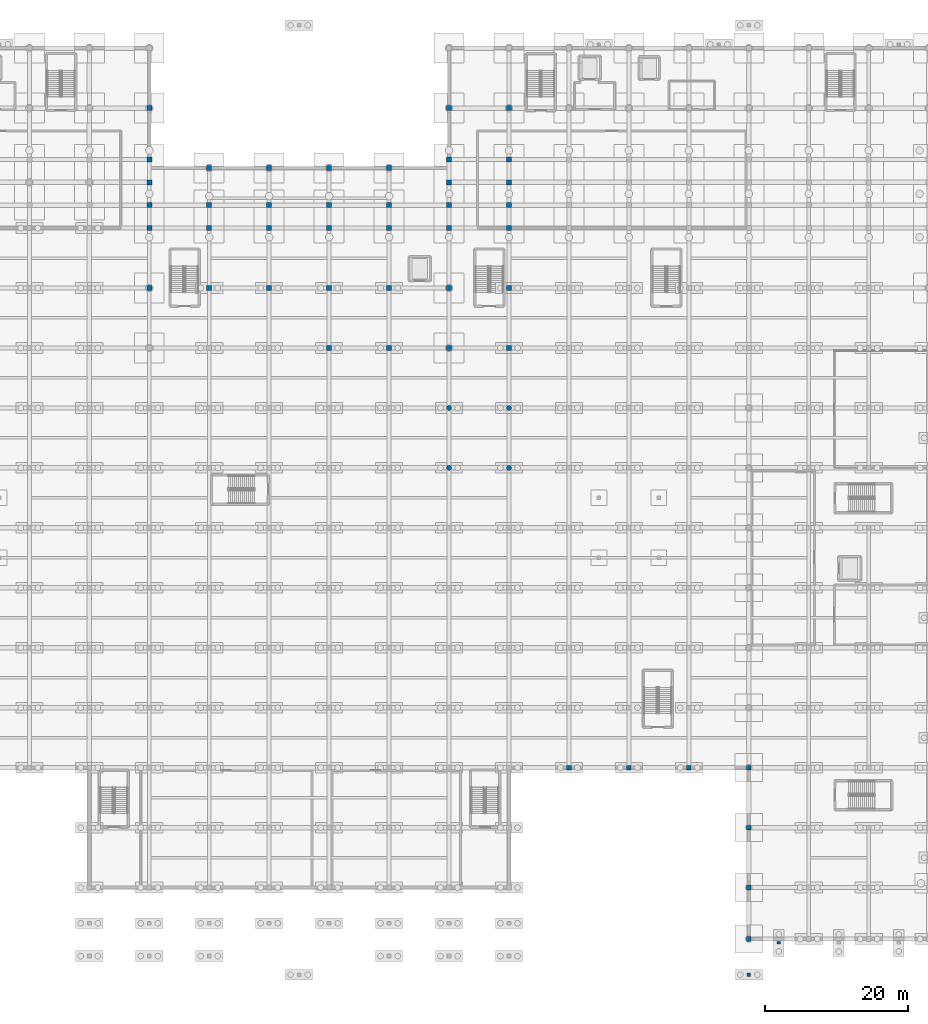
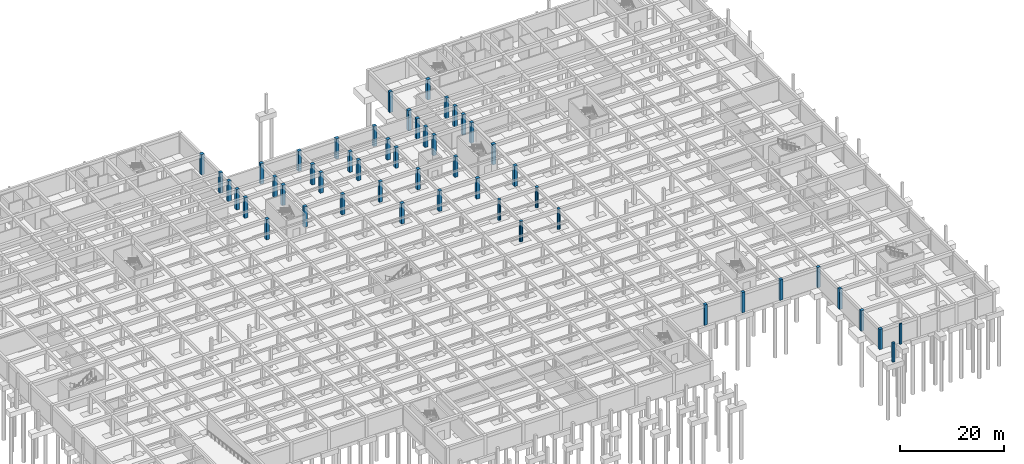
# One storey, part 11 of 51: 51 columns.
"""IFC4 building model written with IfcOpenShell, lengths in metres."""

from ifc_helpers import new_model, si_unit, direction, frame, origin, origin_2d, place, context, subcontext, project, spatial, rectangle, circle, extrude, material, material_profile, profile_set, type_object, element, save


model = new_model("IFC4")

# Units and contexts
model_context = context("Model", 3, precision=1e-05, world=origin(), true_north=direction((0.0, 1.0)))
body_context = subcontext(model_context, "Body", "Model", "MODEL_VIEW")
ifc_project = project(units=[si_unit("LENGTHUNIT", "METRE"), si_unit("AREAUNIT", "SQUARE_METRE"), si_unit("VOLUMEUNIT", "CUBIC_METRE"), si_unit("PLANEANGLEUNIT", "RADIAN"), si_unit("MASSUNIT", "GRAM", prefix="KILO")], contexts=[model_context])

# Site, building, storey
site_placement = place(None, origin())
site = spatial("IfcSite", under=ifc_project, at=site_placement, CompositionType="ELEMENT")
building_placement = place(site_placement, origin())
building = spatial("IfcBuilding", under=site, at=building_placement, Name="Varncliffe General Hospital", CompositionType="ELEMENT")
storey_placement = place(building_placement, frame((0.0, 0.0, -4.800048828125)))
storey = spatial("IfcBuildingStorey", under=building, at=storey_placement, Name="B1", CompositionType="ELEMENT", Elevation=-4.800048828125)

# Columns
ifc_material_1 = material(Name="Concrete C40/50 (CSA A23.1 40 MPa)", Category="concrete")
ifc_material_profile_1 = material_profile(ifc_material_1, rectangle(XDim=0.64990234375, YDim=0.64990234375, at=origin_2d()), Name="RC 650x650")
ifc_profile_set_1 = profile_set([ifc_material_profile_1], Name="Concrete C40/50 (CSA A23.1 40 MPa)")
column_type_1 = type_object("IfcColumnType", Name="Column C21 (Ext RC 650x650)", PredefinedType="COLUMN", material=ifc_profile_set_1)
for number, where, z_axis, x_axis, name in (
    (1, (126.0, 24.0, 0.0), (0.0, 0.0, 1.0), (1.0, 0.0, 0.0), "B1 Column C21"),
    (2, (134.39990234375, 24.0, 0.0), (0.0, 0.0, 1.0), (1.0, 0.0, 0.0), "B1 Column C21"),
    (3, (142.800048828125, 24.0, 0.0), (0.0, 0.0, 1.0), (1.0, 0.0, 0.0), "B1 Column C21"),
    (4, (151.199951171875, 0.0, 0.0), (0.0, 0.0, 1.0), (1.0, 0.0, 0.0), "B1 Column C21"),
    (5, (151.199951171875, 7.199951171875, 0.0), (0.0, 0.0, 1.0), (1.0, 0.0, 0.0), "B1 Column C21"),
    (6, (151.199951171875, 15.60009765625, 0.0), (0.0, 0.0, 1.0), (1.0, 0.0, 0.0), "B1 Column C21"),
    (7, (151.199951171875, 24.0, 0.0), (0.0, 0.0, 1.0), (1.0, 0.0, 0.0), "B1 Column C21"),
):
    element("IfcColumn", number, at=place(storey_placement, frame(where, z_axis=z_axis, x_axis=x_axis)), inside=storey, type_object=column_type_1, Name=name, PredefinedType="COLUMN", context=body_context, shape_type="SweptSolid", body=[
        extrude(rectangle(XDim=0.64990234375, YDim=0.64990234375, at=origin_2d()), origin(), (0.0, 0.0, 1.0), 4.800048828125),
    ])
ifc_material_profile_2 = material_profile(ifc_material_1, circle(Radius=0.35009765625, at=origin_2d()), Name="RC D700")
ifc_profile_set_2 = profile_set([ifc_material_profile_2], Name="Concrete C40/50 (CSA A23.1 40 MPa)")
column_type_2 = type_object("IfcColumnType", Name="Column C25 (Int RC D700)", PredefinedType="COLUMN", material=ifc_profile_set_2)
for number, where, z_axis, x_axis, name in (
    (8, (109.199951171875, 66.0, 0.0), (0.0, 0.0, 1.0), (1.0, 0.0, 0.0), "B1 Column C25"),
    (9, (109.199951171875, 74.39990234375, 0.0), (0.0, 0.0, 1.0), (1.0, 0.0, 0.0), "B1 Column C25"),
    (10, (117.60009765625, 66.0, 0.0), (0.0, 0.0, 1.0), (1.0, 0.0, 0.0), "B1 Column C25"),
    (11, (117.60009765625, 74.39990234375, 0.0), (0.0, 0.0, 1.0), (1.0, 0.0, 0.0), "B1 Column C25"),
):
    element("IfcColumn", number, at=place(storey_placement, frame(where, z_axis=z_axis, x_axis=x_axis)), inside=storey, type_object=column_type_2, Name=name, PredefinedType="COLUMN", context=body_context, shape_type="SweptSolid", body=[
        extrude(circle(Radius=0.35009765625, at=origin_2d()), origin(), (0.0, 0.0, 1.0), 4.800048828125),
    ])
ifc_material_profile_3 = material_profile(ifc_material_1, rectangle(XDim=0.699951171875, YDim=0.699951171875, at=origin_2d()), Name="RC 700x700")
ifc_profile_set_3 = profile_set([ifc_material_profile_3], Name="Concrete C40/50 (CSA A23.1 40 MPa)")
column_type_3 = type_object("IfcColumnType", Name="Column C50 (Int RC 700x700)", PredefinedType="COLUMN", material=ifc_profile_set_3)
for number, where, z_axis, x_axis, name in (
    (12, (67.199951171875, 91.199951171875, 0.0), (0.0, 0.0, 1.0), (1.0, 0.0, 0.0), "B1 Column C50"),
    (13, (67.199951171875, 99.60009765625, 0.0), (0.0, 0.0, 1.0), (1.0, 0.0, 0.0), "B1 Column C50"),
    (14, (67.199951171875, 102.800048828125, 0.0), (0.0, 0.0, 1.0), (1.0, 0.0, 0.0), "B1 Column C50"),
    (15, (67.199951171875, 106.0, 0.0), (0.0, 0.0, 1.0), (1.0, 0.0, 0.0), "B1 Column C50"),
    (16, (75.60009765625, 91.199951171875, 0.0), (0.0, 0.0, 1.0), (1.0, 0.0, 0.0), "B1 Column C50"),
    (17, (75.60009765625, 99.60009765625, 0.0), (0.0, 0.0, 1.0), (1.0, 0.0, 0.0), "B1 Column C50"),
    (18, (75.60009765625, 102.800048828125, 0.0), (0.0, 0.0, 1.0), (1.0, 0.0, 0.0), "B1 Column C50"),
    (19, (84.0, 91.199951171875, 0.0), (0.0, 0.0, 1.0), (1.0, 0.0, 0.0), "B1 Column C50"),
    (20, (84.0, 99.60009765625, 0.0), (0.0, 0.0, 1.0), (1.0, 0.0, 0.0), "B1 Column C50"),
    (21, (84.0, 102.800048828125, 0.0), (0.0, 0.0, 1.0), (1.0, 0.0, 0.0), "B1 Column C50"),
    (22, (92.39990234375, 82.800048828125, 0.0), (0.0, 0.0, 1.0), (1.0, 0.0, 0.0), "B1 Column C50"),
    (23, (92.39990234375, 91.199951171875, 0.0), (0.0, 0.0, 1.0), (1.0, 0.0, 0.0), "B1 Column C50"),
    (24, (92.39990234375, 99.60009765625, 0.0), (0.0, 0.0, 1.0), (1.0, 0.0, 0.0), "B1 Column C50"),
    (25, (92.39990234375, 102.800048828125, 0.0), (0.0, 0.0, 1.0), (1.0, 0.0, 0.0), "B1 Column C50"),
    (26, (100.800048828125, 82.800048828125, 0.0), (0.0, 0.0, 1.0), (1.0, 0.0, 0.0), "B1 Column C50"),
    (27, (100.800048828125, 91.199951171875, 0.0), (0.0, 0.0, 1.0), (1.0, 0.0, 0.0), "B1 Column C50"),
    (28, (100.800048828125, 99.60009765625, 0.0), (0.0, 0.0, 1.0), (1.0, 0.0, 0.0), "B1 Column C50"),
    (29, (100.800048828125, 102.800048828125, 0.0), (0.0, 0.0, 1.0), (1.0, 0.0, 0.0), "B1 Column C50"),
    (30, (109.199951171875, 82.800048828125, 0.0), (0.0, 0.0, 1.0), (1.0, 0.0, 0.0), "B1 Column C50"),
    (31, (109.199951171875, 91.199951171875, 0.0), (0.0, 0.0, 1.0), (1.0, 0.0, 0.0), "B1 Column C50"),
    (32, (109.199951171875, 99.60009765625, 0.0), (0.0, 0.0, 1.0), (1.0, 0.0, 0.0), "B1 Column C50"),
    (33, (109.199951171875, 102.800048828125, 0.0), (0.0, 0.0, 1.0), (1.0, 0.0, 0.0), "B1 Column C50"),
    (34, (109.199951171875, 106.0, 0.0), (0.0, 0.0, 1.0), (1.0, 0.0, 0.0), "B1 Column C50"),
    (35, (117.60009765625, 82.800048828125, 0.0), (0.0, 0.0, 1.0), (1.0, 0.0, 0.0), "B1 Column C50"),
    (36, (117.60009765625, 91.199951171875, 0.0), (0.0, 0.0, 1.0), (1.0, 0.0, 0.0), "B1 Column C50"),
    (37, (117.60009765625, 99.60009765625, 0.0), (0.0, 0.0, 1.0), (1.0, 0.0, 0.0), "B1 Column C50"),
    (38, (117.60009765625, 102.800048828125, 0.0), (0.0, 0.0, 1.0), (1.0, 0.0, 0.0), "B1 Column C50"),
    (39, (117.60009765625, 106.0, 0.0), (0.0, 0.0, 1.0), (1.0, 0.0, 0.0), "B1 Column C50"),
    (40, (117.60009765625, 109.199951171875, 0.0), (0.0, 0.0, 1.0), (1.0, 0.0, 0.0), "B1 Column C50"),
    (41, (117.60009765625, 116.39990234375, 0.0), (0.0, 0.0, 1.0), (1.0, 0.0, 0.0), "B1 Column C50"),
):
    element("IfcColumn", number, at=place(storey_placement, frame(where, z_axis=z_axis, x_axis=x_axis)), inside=storey, type_object=column_type_3, Name=name, PredefinedType="COLUMN", context=body_context, shape_type="SweptSolid", body=[
        extrude(rectangle(XDim=0.699951171875, YDim=0.699951171875, at=origin_2d()), origin(), (0.0, 0.0, 1.0), 4.800048828125),
    ])
ifc_material_profile_4 = material_profile(ifc_material_1, rectangle(XDim=0.699951171875, YDim=0.699951171875, at=origin_2d()), Name="RC 700x700")
ifc_profile_set_4 = profile_set([ifc_material_profile_4], Name="Concrete C40/50 (CSA A23.1 40 MPa)")
column_type_4 = type_object("IfcColumnType", Name="Column C54 (Ext RC 700x700)", PredefinedType="COLUMN", material=ifc_profile_set_4)
for number, where, z_axis, x_axis, name in (
    (42, (67.199951171875, 109.199951171875, 0.0), (0.0, 0.0, 1.0), (1.0, 0.0, 0.0), "B1 Column C54"),
    (43, (67.199951171875, 116.39990234375, 0.0), (0.0, 0.0, 1.0), (1.0, 0.0, 0.0), "B1 Column C54"),
    (44, (75.60009765625, 108.0, 0.0), (0.0, 0.0, 1.0), (1.0, 0.0, 0.0), "B1 Column C54"),
    (45, (84.0, 108.0, 0.0), (0.0, 0.0, 1.0), (1.0, 0.0, 0.0), "B1 Column C54"),
    (46, (92.39990234375, 108.0, 0.0), (0.0, 0.0, 1.0), (1.0, 0.0, 0.0), "B1 Column C54"),
    (47, (100.800048828125, 108.0, 0.0), (0.0, 0.0, 1.0), (1.0, 0.0, 0.0), "B1 Column C54"),
    (48, (109.199951171875, 109.199951171875, 0.0), (0.0, 0.0, 1.0), (1.0, 0.0, 0.0), "B1 Column C54"),
    (49, (109.199951171875, 116.39990234375, 0.0), (0.0, 0.0, 1.0), (1.0, 0.0, 0.0), "B1 Column C54"),
):
    element("IfcColumn", number, at=place(storey_placement, frame(where, z_axis=z_axis, x_axis=x_axis)), inside=storey, type_object=column_type_4, Name=name, PredefinedType="COLUMN", context=body_context, shape_type="SweptSolid", body=[
        extrude(rectangle(XDim=0.699951171875, YDim=0.699951171875, at=origin_2d()), origin(), (0.0, 0.0, 1.0), 4.800048828125),
    ])
ifc_material_profile_5 = material_profile(ifc_material_1, rectangle(XDim=0.5, YDim=0.5, at=origin_2d()), Name="RC 500x500")
ifc_profile_set_5 = profile_set([ifc_material_profile_5], Name="Concrete C40/50 (CSA A23.1 40 MPa)")
column_type_5 = type_object("IfcColumnType", Name="Column C65 (Ext RC 500x500)", PredefinedType="COLUMN", material=ifc_profile_set_5)
column_1_placement = place(storey_placement, frame((151.199951171875, -5.0, 0.0), z_axis=(0.0, 0.0, 1.0), x_axis=(1.0, 0.0, 0.0)))
element("IfcColumn", 50, at=column_1_placement, inside=storey, type_object=column_type_5, Name="B1 Perimeter Walkway Support Pier", PredefinedType="COLUMN", context=body_context, shape_type="SweptSolid", body=[
    extrude(rectangle(XDim=0.5, YDim=0.5, at=origin_2d()), origin(), (0.0, 0.0, 1.0), 4.52001953125),
])
ifc_material_2 = material(Name="Precast concrete C40/50", Category="concrete")
ifc_material_profile_6 = material_profile(ifc_material_2, rectangle(XDim=0.5, YDim=0.320068359375, at=origin_2d()), Name="PIL 500x320")
ifc_profile_set_6 = profile_set([ifc_material_profile_6], Name="Precast concrete C40/50")
column_type_6 = type_object("IfcColumnType", Name="Pilaster PL14 (PIL 500x320)", PredefinedType="PILASTER", material=ifc_profile_set_6)
column_2_placement = place(storey_placement, frame((155.39990234375, -0.550048828125, 0.0), z_axis=(0.0, 0.0, 1.0), x_axis=(1.0, 0.0, 0.0)))
element("IfcColumn", 51, at=column_2_placement, inside=storey, type_object=column_type_6, Name="B1 Facade Pilaster PL14-1", PredefinedType="PILASTER", context=body_context, shape_type="SweptSolid", body=[
    extrude(rectangle(XDim=0.5, YDim=0.320068359375, at=origin_2d()), origin(), (0.0, 0.0, 1.0), 4.800048828125),
])

save(model, "model.ifc")
